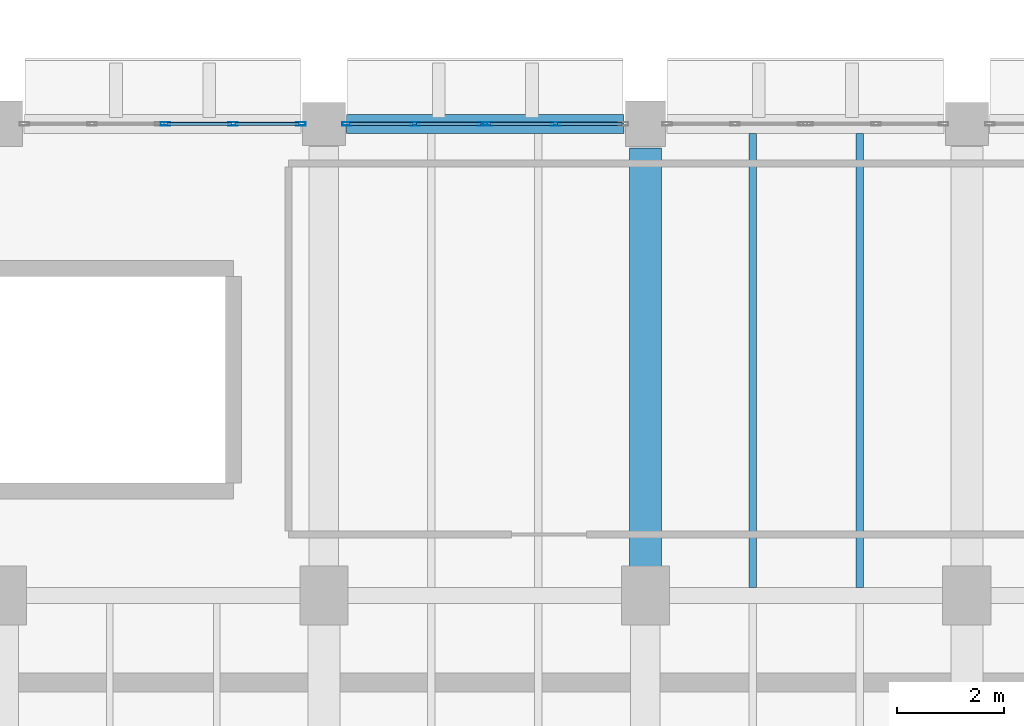
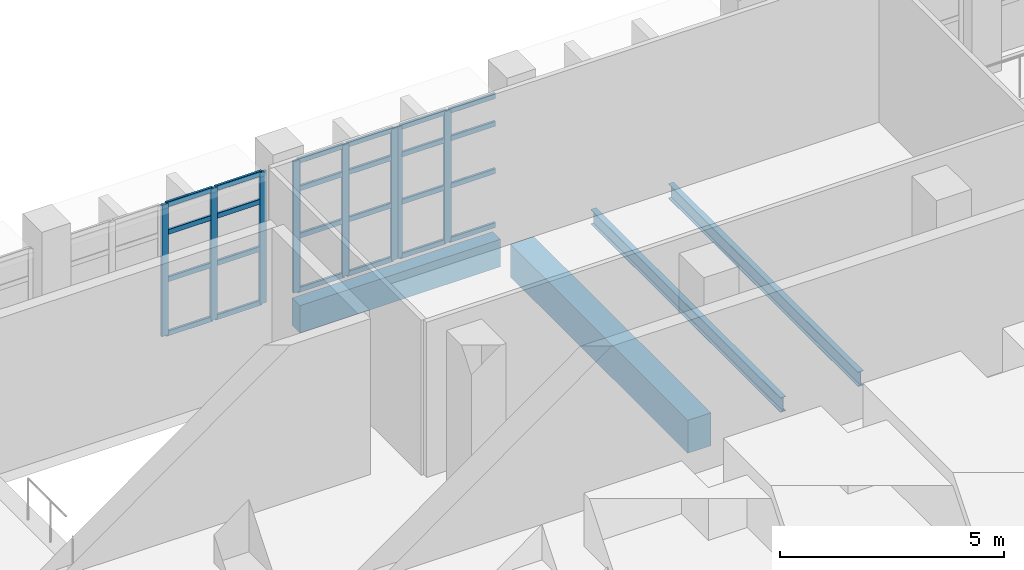
# One storey, part 35 of 76: 32 members, 4 beams, 3 elements without a shape of their own.
"""IFC4 building model written with IfcOpenShell, lengths in metres."""

from ifc_helpers import new_model, si_unit, direction, frame, origin, origin_2d, place, context, subcontext, project, spatial, rectangle, hollow_rectangle, i_section, extrude, material, material_profile, profile_set, type_object, element, aggregate, save


model = new_model("IFC4")

# Units and contexts
model_context = context("Model", 3, precision=1e-05, world=origin(), true_north=direction((0.0, 1.0)))
body_context = subcontext(model_context, "Body", "Model", "MODEL_VIEW")
ifc_project = project(units=[si_unit("LENGTHUNIT", "METRE"), si_unit("AREAUNIT", "SQUARE_METRE"), si_unit("VOLUMEUNIT", "CUBIC_METRE"), si_unit("PLANEANGLEUNIT", "RADIAN"), si_unit("MASSUNIT", "GRAM", prefix="KILO")], contexts=[model_context])

# Site, building, storey
site_placement = place(None, origin())
site = spatial("IfcSite", under=ifc_project, at=site_placement, CompositionType="ELEMENT")
building_placement = place(site_placement, origin())
building = spatial("IfcBuilding", under=site, at=building_placement, Name="Varnakota Cinema and Media Centre", CompositionType="ELEMENT")
storey_placement = place(building_placement, origin())
storey = spatial("IfcBuildingStorey", under=building, at=storey_placement, Name="L00", CompositionType="ELEMENT", Elevation=0.0)

# Beams
ifc_material_1 = material(Name="Concrete M40", Category="concrete")
ifc_material_profile_1 = material_profile(ifc_material_1, rectangle(XDim=0.60009765625, YDim=0.89990234375, at=origin_2d()), Name="RCB 600x900")
ifc_profile_set_1 = profile_set([ifc_material_profile_1], Name="Concrete M40")
beam_type_1 = type_object("IfcBeamType", Name="BM-RC-600x900", PredefinedType="BEAM", material=ifc_profile_set_1)
beam_1_placement = place(storey_placement, frame((105.0, 35.625, -0.72998046875), z_axis=(0.0, 1.0, 0.0), x_axis=(-1.0, 0.0, 0.0)))
element("IfcBeam", 1, at=beam_1_placement, inside=storey, type_object=beam_type_1, Name="L00 girder Q/5-6", PredefinedType="BEAM", context=body_context, shape_type="SweptSolid", body=[
    extrude(rectangle(XDim=0.60009765625, YDim=0.89990234375, at=origin_2d()), origin(), (0.0, 0.0, 1.0), 7.925048828125),
])
ifc_material_2 = material(Name="Concrete M40", Category="concrete")
ifc_material_profile_2 = material_profile(ifc_material_2, rectangle(XDim=0.35009765625, YDim=0.75, at=origin_2d()), Name="RCB 350x750")
ifc_profile_set_2 = profile_set([ifc_material_profile_2], Name="Concrete M40")
beam_type_2 = type_object("IfcBeamType", Name="BM-SP-350x750", PredefinedType="SPANDREL", material=ifc_profile_set_2)
beam_2_placement = place(storey_placement, frame((99.425048828125, 44.0, -0.655029296875), z_axis=(1.0, 0.0, 0.0), x_axis=(0.0, 1.0, 0.0)))
element("IfcBeam", 2, at=beam_2_placement, inside=storey, type_object=beam_type_2, Name="L00 girder P-Q/6", PredefinedType="SPANDREL", context=body_context, shape_type="SweptSolid", body=[
    extrude(rectangle(XDim=0.35009765625, YDim=0.75, at=origin_2d()), origin(), (0.0, 0.0, 1.0), 5.175048828125),
])
ifc_material_3 = material(Name="Structural steel Grade 350 (E350)", Category="steel")
ifc_material_profile_3 = material_profile(ifc_material_3, i_section(OverallWidth=0.139892578125, OverallDepth=0.39990234375, WebThickness=0.0087890625, FlangeThickness=0.01611328125, FilletRadius=0.013916015625, at=origin_2d()), Name="ISMB 400")
ifc_profile_set_3 = profile_set([ifc_material_profile_3], Name="Structural steel Grade 350 (E350)")
beam_type_3 = type_object("IfcBeamType", Name="BM-ST-ISMB400", PredefinedType="JOIST", material=ifc_profile_set_3)
for number, where, z_axis, x_axis, name in (
    (3, (107.0, 35.35009765625, -0.47998046875), (0.0, 1.0, 0.0), (-1.0, 0.0, 0.0), "L00 steel joist Q-R/5-6 #1"),
    (4, (109.0, 35.35009765625, -0.47998046875), (0.0, 1.0, 0.0), (-1.0, 0.0, 0.0), "L00 steel joist Q-R/5-6 #2"),
):
    element("IfcBeam", number, at=place(storey_placement, frame(where, z_axis=z_axis, x_axis=x_axis)), inside=storey, type_object=beam_type_3, Name=name, PredefinedType="JOIST", context=body_context, shape_type="SweptSolid", body=[
        extrude(i_section(OverallWidth=0.139892578125, OverallDepth=0.39990234375, WebThickness=0.0087890625, FlangeThickness=0.01611328125, FilletRadius=0.013916015625, at=origin_2d()), origin(), (0.0, 0.0, 1.0), 8.474853515625),
    ])

# Curtain wall, members
ifc_material_4 = material(Name="Thermally broken anodised aluminium AW-6063", Category="aluminium")
curtain_wall_type = type_object("IfcCurtainWallType", Name="CW-STD-259x358", PredefinedType="USERDEFINED", material=ifc_material_4)
curtain_wall_1_placement = place(storey_placement, origin())
curtain_wall_1 = element("IfcCurtainWall", 5, at=curtain_wall_1_placement, inside=storey, type_object=curtain_wall_type, Name="L00 curtain wall CW-L00-V1-N-04-2", ObjectType="UNITISED CURTAIN WALL", PredefinedType="USERDEFINED")
ifc_material_5 = material(Name="Thermally broken anodised aluminium AW-6063", Category="aluminium")
ifc_material_profile_4 = material_profile(ifc_material_5, hollow_rectangle(XDim=0.06494140625, YDim=0.179931640625, WallThickness=0.00390625, InnerFilletRadius=0.00390625, OuterFilletRadius=0.008056640625, at=origin_2d()), Name="AL-MULLION 180x65x4")
ifc_profile_set_4 = profile_set([ifc_material_profile_4], Name="Thermally broken anodised aluminium AW-6063")
member_type_1 = type_object("IfcMemberType", Name="CWM-AL-180", PredefinedType="MULLION", material=ifc_profile_set_4)
member_1_placement = place(storey_placement, frame((96.0400390625, 44.0, 0.0), z_axis=(0.0, 0.0, 1.0), x_axis=(0.0, 1.0, 0.0)))
member_1 = element("IfcMember", 6, at=member_1_placement, type_object=member_type_1, Name="CW06 mullion 1", PredefinedType="MULLION", context=body_context, shape_type="SweptSolid", body=[
    extrude(hollow_rectangle(XDim=0.06494140625, YDim=0.179931640625, WallThickness=0.00390625, InnerFilletRadius=0.00390625, OuterFilletRadius=0.008056640625, at=origin_2d()), origin(), (0.0, 0.0, 1.0), 3.5849609375),
])
member_2_placement = place(storey_placement, frame((97.3037109375, 44.0, 0.0), z_axis=(0.0, 0.0, 1.0), x_axis=(0.0, 1.0, 0.0)))
member_2 = element("IfcMember", 7, at=member_2_placement, type_object=member_type_1, Name="CW06 mullion 2", PredefinedType="MULLION", context=body_context, shape_type="SweptSolid", body=[
    extrude(hollow_rectangle(XDim=0.06494140625, YDim=0.179931640625, WallThickness=0.00390625, InnerFilletRadius=0.00390625, OuterFilletRadius=0.008056640625, at=origin_2d()), origin(), (0.0, 0.0, 1.0), 3.5849609375),
])
member_3_placement = place(storey_placement, frame((98.5673828125, 44.0, 0.0), z_axis=(0.0, 0.0, 1.0), x_axis=(0.0, 1.0, 0.0)))
member_3 = element("IfcMember", 8, at=member_3_placement, type_object=member_type_1, Name="CW06 mullion 3", PredefinedType="MULLION", context=body_context, shape_type="SweptSolid", body=[
    extrude(hollow_rectangle(XDim=0.06494140625, YDim=0.179931640625, WallThickness=0.00390625, InnerFilletRadius=0.00390625, OuterFilletRadius=0.008056640625, at=origin_2d()), origin(), (0.0, 0.0, 1.0), 3.5849609375),
])

curtain_wall_2_placement = place(storey_placement, origin())
curtain_wall_2 = element("IfcCurtainWall", 9, at=curtain_wall_2_placement, inside=storey, type_object=curtain_wall_type, Name="L00 curtain wall CW-L00-V1-N-05-1", ObjectType="UNITISED CURTAIN WALL", PredefinedType="USERDEFINED")
member_4_placement = place(storey_placement, frame((99.4326171875, 44.0, 0.0), z_axis=(0.0, 0.0, 1.0), x_axis=(0.0, 1.0, 0.0)))
member_4 = element("IfcMember", 10, at=member_4_placement, type_object=member_type_1, Name="CW06 mullion 1", PredefinedType="MULLION", context=body_context, shape_type="SweptSolid", body=[
    extrude(hollow_rectangle(XDim=0.06494140625, YDim=0.179931640625, WallThickness=0.00390625, InnerFilletRadius=0.00390625, OuterFilletRadius=0.008056640625, at=origin_2d()), origin(), (0.0, 0.0, 1.0), 3.5849609375),
])
member_5_placement = place(storey_placement, frame((100.6962890625, 44.0, 0.0), z_axis=(0.0, 0.0, 1.0), x_axis=(0.0, 1.0, 0.0)))
member_5 = element("IfcMember", 11, at=member_5_placement, type_object=member_type_1, Name="CW06 mullion 2", PredefinedType="MULLION", context=body_context, shape_type="SweptSolid", body=[
    extrude(hollow_rectangle(XDim=0.06494140625, YDim=0.179931640625, WallThickness=0.00390625, InnerFilletRadius=0.00390625, OuterFilletRadius=0.008056640625, at=origin_2d()), origin(), (0.0, 0.0, 1.0), 3.5849609375),
])
member_6_placement = place(storey_placement, frame((101.9599609375, 44.0, 0.0), z_axis=(0.0, 0.0, 1.0), x_axis=(0.0, 1.0, 0.0)))
member_6 = element("IfcMember", 12, at=member_6_placement, type_object=member_type_1, Name="CW06 mullion 3", PredefinedType="MULLION", context=body_context, shape_type="SweptSolid", body=[
    extrude(hollow_rectangle(XDim=0.06494140625, YDim=0.179931640625, WallThickness=0.00390625, InnerFilletRadius=0.00390625, OuterFilletRadius=0.008056640625, at=origin_2d()), origin(), (0.0, 0.0, 1.0), 3.5849609375),
])

curtain_wall_3_placement = place(storey_placement, origin())
curtain_wall_3 = element("IfcCurtainWall", 13, at=curtain_wall_3_placement, inside=storey, type_object=curtain_wall_type, Name="L00 curtain wall CW-L00-V1-N-05-2", ObjectType="UNITISED CURTAIN WALL", PredefinedType="USERDEFINED")
member_7_placement = place(storey_placement, frame((102.06494140625, 44.0, 0.0), z_axis=(0.0, 0.0, 1.0), x_axis=(0.0, 1.0, 0.0)))
member_7 = element("IfcMember", 14, at=member_7_placement, type_object=member_type_1, Name="CW06 mullion 1", PredefinedType="MULLION", context=body_context, shape_type="SweptSolid", body=[
    extrude(hollow_rectangle(XDim=0.06494140625, YDim=0.179931640625, WallThickness=0.00390625, InnerFilletRadius=0.00390625, OuterFilletRadius=0.008056640625, at=origin_2d()), origin(), (0.0, 0.0, 1.0), 3.5849609375),
])
member_8_placement = place(storey_placement, frame((103.328857421875, 44.0, 0.0), z_axis=(0.0, 0.0, 1.0), x_axis=(0.0, 1.0, 0.0)))
member_8 = element("IfcMember", 15, at=member_8_placement, type_object=member_type_1, Name="CW06 mullion 2", PredefinedType="MULLION", context=body_context, shape_type="SweptSolid", body=[
    extrude(hollow_rectangle(XDim=0.06494140625, YDim=0.179931640625, WallThickness=0.00390625, InnerFilletRadius=0.00390625, OuterFilletRadius=0.008056640625, at=origin_2d()), origin(), (0.0, 0.0, 1.0), 3.5849609375),
])

# Member
ifc_material_6 = material(Name="Thermally broken anodised aluminium AW-6063", Category="aluminium")
ifc_material_profile_5 = material_profile(ifc_material_6, hollow_rectangle(XDim=0.06494140625, YDim=0.139892578125, WallThickness=0.00390625, InnerFilletRadius=0.00390625, OuterFilletRadius=0.008056640625, at=origin_2d()), Name="AL-TRANSOM 140x65x4")
ifc_profile_set_5 = profile_set([ifc_material_profile_5], Name="Thermally broken anodised aluminium AW-6063")
member_type_2 = type_object("IfcMemberType", Name="CWT-AL-140", PredefinedType="USERDEFINED", material=ifc_profile_set_5)
member_9_placement = place(storey_placement, frame((96.072509765625, 44.0, 0.032470703125), z_axis=(1.0, 0.0, 0.0), x_axis=(0.0, 1.0, 0.0)))
member_9 = element("IfcMember", 16, at=member_9_placement, type_object=member_type_2, Name="CW06 transom 1.1", ObjectType="TRANSOM", PredefinedType="USERDEFINED", context=body_context, shape_type="SweptSolid", body=[
    extrude(hollow_rectangle(XDim=0.06494140625, YDim=0.139892578125, WallThickness=0.00390625, InnerFilletRadius=0.00390625, OuterFilletRadius=0.008056640625, at=origin_2d()), origin(), (0.0, 0.0, 1.0), 1.19873046875),
])

member_10_placement = place(storey_placement, frame((96.072509765625, 44.0, 1.505615234375), z_axis=(1.0, 0.0, 0.0), x_axis=(0.0, 1.0, 0.0)))
member_10 = element("IfcMember", 17, at=member_10_placement, type_object=member_type_2, Name="CW06 transom 1.2", ObjectType="TRANSOM", PredefinedType="USERDEFINED", context=body_context, shape_type="SweptSolid", body=[
    extrude(hollow_rectangle(XDim=0.06494140625, YDim=0.139892578125, WallThickness=0.00390625, InnerFilletRadius=0.00390625, OuterFilletRadius=0.008056640625, at=origin_2d()), origin(), (0.0, 0.0, 1.0), 1.19873046875),
])

member_11_placement = place(storey_placement, frame((96.072509765625, 44.0, 2.79638671875), z_axis=(1.0, 0.0, 0.0), x_axis=(0.0, 1.0, 0.0)))
member_11 = element("IfcMember", 18, at=member_11_placement, type_object=member_type_2, Name="CW06 transom 1.3", ObjectType="TRANSOM", PredefinedType="USERDEFINED", context=body_context, shape_type="SweptSolid", body=[
    extrude(hollow_rectangle(XDim=0.06494140625, YDim=0.139892578125, WallThickness=0.00390625, InnerFilletRadius=0.00390625, OuterFilletRadius=0.008056640625, at=origin_2d()), origin(), (0.0, 0.0, 1.0), 1.19873046875),
])

member_12_placement = place(storey_placement, frame((96.072509765625, 44.0, 3.552490234375), z_axis=(1.0, 0.0, 0.0), x_axis=(0.0, 1.0, 0.0)))
member_12 = element("IfcMember", 19, at=member_12_placement, type_object=member_type_2, Name="CW06 transom 1.4", ObjectType="TRANSOM", PredefinedType="USERDEFINED", context=body_context, shape_type="SweptSolid", body=[
    extrude(hollow_rectangle(XDim=0.06494140625, YDim=0.139892578125, WallThickness=0.00390625, InnerFilletRadius=0.00390625, OuterFilletRadius=0.008056640625, at=origin_2d()), origin(), (0.0, 0.0, 1.0), 1.19873046875),
])

member_13_placement = place(storey_placement, frame((97.336181640625, 44.0, 0.032470703125), z_axis=(1.0, 0.0, 0.0), x_axis=(0.0, 1.0, 0.0)))
member_13 = element("IfcMember", 20, at=member_13_placement, type_object=member_type_2, Name="CW06 transom 2.1", ObjectType="TRANSOM", PredefinedType="USERDEFINED", context=body_context, shape_type="SweptSolid", body=[
    extrude(hollow_rectangle(XDim=0.06494140625, YDim=0.139892578125, WallThickness=0.00390625, InnerFilletRadius=0.00390625, OuterFilletRadius=0.008056640625, at=origin_2d()), origin(), (0.0, 0.0, 1.0), 1.19873046875),
])

member_14_placement = place(storey_placement, frame((97.336181640625, 44.0, 1.505615234375), z_axis=(1.0, 0.0, 0.0), x_axis=(0.0, 1.0, 0.0)))
member_14 = element("IfcMember", 21, at=member_14_placement, type_object=member_type_2, Name="CW06 transom 2.2", ObjectType="TRANSOM", PredefinedType="USERDEFINED", context=body_context, shape_type="SweptSolid", body=[
    extrude(hollow_rectangle(XDim=0.06494140625, YDim=0.139892578125, WallThickness=0.00390625, InnerFilletRadius=0.00390625, OuterFilletRadius=0.008056640625, at=origin_2d()), origin(), (0.0, 0.0, 1.0), 1.19873046875),
])

member_15_placement = place(storey_placement, frame((97.336181640625, 44.0, 2.79638671875), z_axis=(1.0, 0.0, 0.0), x_axis=(0.0, 1.0, 0.0)))
member_15 = element("IfcMember", 22, at=member_15_placement, type_object=member_type_2, Name="CW06 transom 2.3", ObjectType="TRANSOM", PredefinedType="USERDEFINED", context=body_context, shape_type="SweptSolid", body=[
    extrude(hollow_rectangle(XDim=0.06494140625, YDim=0.139892578125, WallThickness=0.00390625, InnerFilletRadius=0.00390625, OuterFilletRadius=0.008056640625, at=origin_2d()), origin(), (0.0, 0.0, 1.0), 1.19873046875),
])

member_16_placement = place(storey_placement, frame((97.336181640625, 44.0, 3.552490234375), z_axis=(1.0, 0.0, 0.0), x_axis=(0.0, 1.0, 0.0)))
member_16 = element("IfcMember", 23, at=member_16_placement, type_object=member_type_2, Name="CW06 transom 2.4", ObjectType="TRANSOM", PredefinedType="USERDEFINED", context=body_context, shape_type="SweptSolid", body=[
    extrude(hollow_rectangle(XDim=0.06494140625, YDim=0.139892578125, WallThickness=0.00390625, InnerFilletRadius=0.00390625, OuterFilletRadius=0.008056640625, at=origin_2d()), origin(), (0.0, 0.0, 1.0), 1.19873046875),
])

aggregate(curtain_wall_1, [member_1, member_2, member_3, member_9, member_10, member_11, member_12, member_13, member_14, member_15, member_16])

member_17_placement = place(storey_placement, frame((99.465087890625, 44.0, 0.032470703125), z_axis=(1.0, 0.0, 0.0), x_axis=(0.0, 1.0, 0.0)))
member_17 = element("IfcMember", 24, at=member_17_placement, type_object=member_type_2, Name="CW06 transom 1.1", ObjectType="TRANSOM", PredefinedType="USERDEFINED", context=body_context, shape_type="SweptSolid", body=[
    extrude(hollow_rectangle(XDim=0.06494140625, YDim=0.139892578125, WallThickness=0.00390625, InnerFilletRadius=0.00390625, OuterFilletRadius=0.008056640625, at=origin_2d()), origin(), (0.0, 0.0, 1.0), 1.19873046875),
])

member_18_placement = place(storey_placement, frame((99.465087890625, 44.0, 1.505615234375), z_axis=(1.0, 0.0, 0.0), x_axis=(0.0, 1.0, 0.0)))
member_18 = element("IfcMember", 25, at=member_18_placement, type_object=member_type_2, Name="CW06 transom 1.2", ObjectType="TRANSOM", PredefinedType="USERDEFINED", context=body_context, shape_type="SweptSolid", body=[
    extrude(hollow_rectangle(XDim=0.06494140625, YDim=0.139892578125, WallThickness=0.00390625, InnerFilletRadius=0.00390625, OuterFilletRadius=0.008056640625, at=origin_2d()), origin(), (0.0, 0.0, 1.0), 1.19873046875),
])

member_19_placement = place(storey_placement, frame((99.465087890625, 44.0, 2.79638671875), z_axis=(1.0, 0.0, 0.0), x_axis=(0.0, 1.0, 0.0)))
member_19 = element("IfcMember", 26, at=member_19_placement, type_object=member_type_2, Name="CW06 transom 1.3", ObjectType="TRANSOM", PredefinedType="USERDEFINED", context=body_context, shape_type="SweptSolid", body=[
    extrude(hollow_rectangle(XDim=0.06494140625, YDim=0.139892578125, WallThickness=0.00390625, InnerFilletRadius=0.00390625, OuterFilletRadius=0.008056640625, at=origin_2d()), origin(), (0.0, 0.0, 1.0), 1.19873046875),
])

member_20_placement = place(storey_placement, frame((99.465087890625, 44.0, 3.552490234375), z_axis=(1.0, 0.0, 0.0), x_axis=(0.0, 1.0, 0.0)))
member_20 = element("IfcMember", 27, at=member_20_placement, type_object=member_type_2, Name="CW06 transom 1.4", ObjectType="TRANSOM", PredefinedType="USERDEFINED", context=body_context, shape_type="SweptSolid", body=[
    extrude(hollow_rectangle(XDim=0.06494140625, YDim=0.139892578125, WallThickness=0.00390625, InnerFilletRadius=0.00390625, OuterFilletRadius=0.008056640625, at=origin_2d()), origin(), (0.0, 0.0, 1.0), 1.19873046875),
])

member_21_placement = place(storey_placement, frame((100.728759765625, 44.0, 0.032470703125), z_axis=(1.0, 0.0, 0.0), x_axis=(0.0, 1.0, 0.0)))
member_21 = element("IfcMember", 28, at=member_21_placement, type_object=member_type_2, Name="CW06 transom 2.1", ObjectType="TRANSOM", PredefinedType="USERDEFINED", context=body_context, shape_type="SweptSolid", body=[
    extrude(hollow_rectangle(XDim=0.06494140625, YDim=0.139892578125, WallThickness=0.00390625, InnerFilletRadius=0.00390625, OuterFilletRadius=0.008056640625, at=origin_2d()), origin(), (0.0, 0.0, 1.0), 1.19873046875),
])

member_22_placement = place(storey_placement, frame((100.728759765625, 44.0, 1.505615234375), z_axis=(1.0, 0.0, 0.0), x_axis=(0.0, 1.0, 0.0)))
member_22 = element("IfcMember", 29, at=member_22_placement, type_object=member_type_2, Name="CW06 transom 2.2", ObjectType="TRANSOM", PredefinedType="USERDEFINED", context=body_context, shape_type="SweptSolid", body=[
    extrude(hollow_rectangle(XDim=0.06494140625, YDim=0.139892578125, WallThickness=0.00390625, InnerFilletRadius=0.00390625, OuterFilletRadius=0.008056640625, at=origin_2d()), origin(), (0.0, 0.0, 1.0), 1.19873046875),
])

member_23_placement = place(storey_placement, frame((100.728759765625, 44.0, 2.79638671875), z_axis=(1.0, 0.0, 0.0), x_axis=(0.0, 1.0, 0.0)))
member_23 = element("IfcMember", 30, at=member_23_placement, type_object=member_type_2, Name="CW06 transom 2.3", ObjectType="TRANSOM", PredefinedType="USERDEFINED", context=body_context, shape_type="SweptSolid", body=[
    extrude(hollow_rectangle(XDim=0.06494140625, YDim=0.139892578125, WallThickness=0.00390625, InnerFilletRadius=0.00390625, OuterFilletRadius=0.008056640625, at=origin_2d()), origin(), (0.0, 0.0, 1.0), 1.19873046875),
])

member_24_placement = place(storey_placement, frame((100.728759765625, 44.0, 3.552490234375), z_axis=(1.0, 0.0, 0.0), x_axis=(0.0, 1.0, 0.0)))
member_24 = element("IfcMember", 31, at=member_24_placement, type_object=member_type_2, Name="CW06 transom 2.4", ObjectType="TRANSOM", PredefinedType="USERDEFINED", context=body_context, shape_type="SweptSolid", body=[
    extrude(hollow_rectangle(XDim=0.06494140625, YDim=0.139892578125, WallThickness=0.00390625, InnerFilletRadius=0.00390625, OuterFilletRadius=0.008056640625, at=origin_2d()), origin(), (0.0, 0.0, 1.0), 1.19873046875),
])

aggregate(curtain_wall_2, [member_4, member_5, member_6, member_17, member_18, member_19, member_20, member_21, member_22, member_23, member_24])

member_25_placement = place(storey_placement, frame((102.097412109375, 44.0, 0.032470703125), z_axis=(1.0, 0.0, 0.0), x_axis=(0.0, 1.0, 0.0)))
member_25 = element("IfcMember", 32, at=member_25_placement, type_object=member_type_2, Name="CW06 transom 1.1", ObjectType="TRANSOM", PredefinedType="USERDEFINED", context=body_context, shape_type="SweptSolid", body=[
    extrude(hollow_rectangle(XDim=0.06494140625, YDim=0.139892578125, WallThickness=0.00390625, InnerFilletRadius=0.00390625, OuterFilletRadius=0.008056640625, at=origin_2d()), origin(), (0.0, 0.0, 1.0), 1.19873046875),
])

member_26_placement = place(storey_placement, frame((102.097412109375, 44.0, 1.505615234375), z_axis=(1.0, 0.0, 0.0), x_axis=(0.0, 1.0, 0.0)))
member_26 = element("IfcMember", 33, at=member_26_placement, type_object=member_type_2, Name="CW06 transom 1.2", ObjectType="TRANSOM", PredefinedType="USERDEFINED", context=body_context, shape_type="SweptSolid", body=[
    extrude(hollow_rectangle(XDim=0.06494140625, YDim=0.139892578125, WallThickness=0.00390625, InnerFilletRadius=0.00390625, OuterFilletRadius=0.008056640625, at=origin_2d()), origin(), (0.0, 0.0, 1.0), 1.19873046875),
])

member_27_placement = place(storey_placement, frame((102.097412109375, 44.0, 2.79638671875), z_axis=(1.0, 0.0, 0.0), x_axis=(0.0, 1.0, 0.0)))
member_27 = element("IfcMember", 34, at=member_27_placement, type_object=member_type_2, Name="CW06 transom 1.3", ObjectType="TRANSOM", PredefinedType="USERDEFINED", context=body_context, shape_type="SweptSolid", body=[
    extrude(hollow_rectangle(XDim=0.06494140625, YDim=0.139892578125, WallThickness=0.00390625, InnerFilletRadius=0.00390625, OuterFilletRadius=0.008056640625, at=origin_2d()), origin(), (0.0, 0.0, 1.0), 1.19873046875),
])

member_28_placement = place(storey_placement, frame((102.097412109375, 44.0, 3.552490234375), z_axis=(1.0, 0.0, 0.0), x_axis=(0.0, 1.0, 0.0)))
member_28 = element("IfcMember", 35, at=member_28_placement, type_object=member_type_2, Name="CW06 transom 1.4", ObjectType="TRANSOM", PredefinedType="USERDEFINED", context=body_context, shape_type="SweptSolid", body=[
    extrude(hollow_rectangle(XDim=0.06494140625, YDim=0.139892578125, WallThickness=0.00390625, InnerFilletRadius=0.00390625, OuterFilletRadius=0.008056640625, at=origin_2d()), origin(), (0.0, 0.0, 1.0), 1.19873046875),
])

member_29_placement = place(storey_placement, frame((103.361328125, 44.0, 0.032470703125), z_axis=(1.0, 0.0, 0.0), x_axis=(0.0, 1.0, 0.0)))
member_29 = element("IfcMember", 36, at=member_29_placement, type_object=member_type_2, Name="CW06 transom 2.1", ObjectType="TRANSOM", PredefinedType="USERDEFINED", context=body_context, shape_type="SweptSolid", body=[
    extrude(hollow_rectangle(XDim=0.06494140625, YDim=0.139892578125, WallThickness=0.00390625, InnerFilletRadius=0.00390625, OuterFilletRadius=0.008056640625, at=origin_2d()), origin(), (0.0, 0.0, 1.0), 1.19873046875),
])

member_30_placement = place(storey_placement, frame((103.361328125, 44.0, 1.505615234375), z_axis=(1.0, 0.0, 0.0), x_axis=(0.0, 1.0, 0.0)))
member_30 = element("IfcMember", 37, at=member_30_placement, type_object=member_type_2, Name="CW06 transom 2.2", ObjectType="TRANSOM", PredefinedType="USERDEFINED", context=body_context, shape_type="SweptSolid", body=[
    extrude(hollow_rectangle(XDim=0.06494140625, YDim=0.139892578125, WallThickness=0.00390625, InnerFilletRadius=0.00390625, OuterFilletRadius=0.008056640625, at=origin_2d()), origin(), (0.0, 0.0, 1.0), 1.19873046875),
])

member_31_placement = place(storey_placement, frame((103.361328125, 44.0, 2.79638671875), z_axis=(1.0, 0.0, 0.0), x_axis=(0.0, 1.0, 0.0)))
member_31 = element("IfcMember", 38, at=member_31_placement, type_object=member_type_2, Name="CW06 transom 2.3", ObjectType="TRANSOM", PredefinedType="USERDEFINED", context=body_context, shape_type="SweptSolid", body=[
    extrude(hollow_rectangle(XDim=0.06494140625, YDim=0.139892578125, WallThickness=0.00390625, InnerFilletRadius=0.00390625, OuterFilletRadius=0.008056640625, at=origin_2d()), origin(), (0.0, 0.0, 1.0), 1.19873046875),
])

member_32_placement = place(storey_placement, frame((103.361328125, 44.0, 3.552490234375), z_axis=(1.0, 0.0, 0.0), x_axis=(0.0, 1.0, 0.0)))
member_32 = element("IfcMember", 39, at=member_32_placement, type_object=member_type_2, Name="CW06 transom 2.4", ObjectType="TRANSOM", PredefinedType="USERDEFINED", context=body_context, shape_type="SweptSolid", body=[
    extrude(hollow_rectangle(XDim=0.06494140625, YDim=0.139892578125, WallThickness=0.00390625, InnerFilletRadius=0.00390625, OuterFilletRadius=0.008056640625, at=origin_2d()), origin(), (0.0, 0.0, 1.0), 1.19873046875),
])

aggregate(curtain_wall_3, [member_7, member_8, member_25, member_26, member_27, member_28, member_29, member_30, member_31, member_32])

save(model, "model.ifc")
